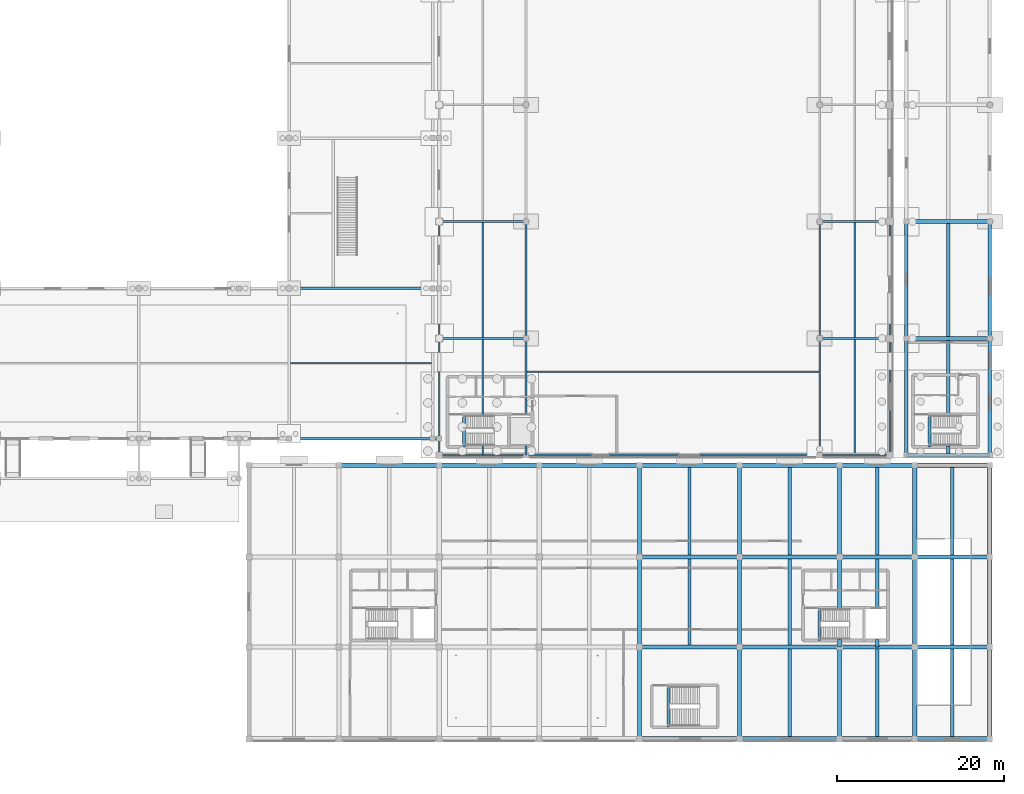
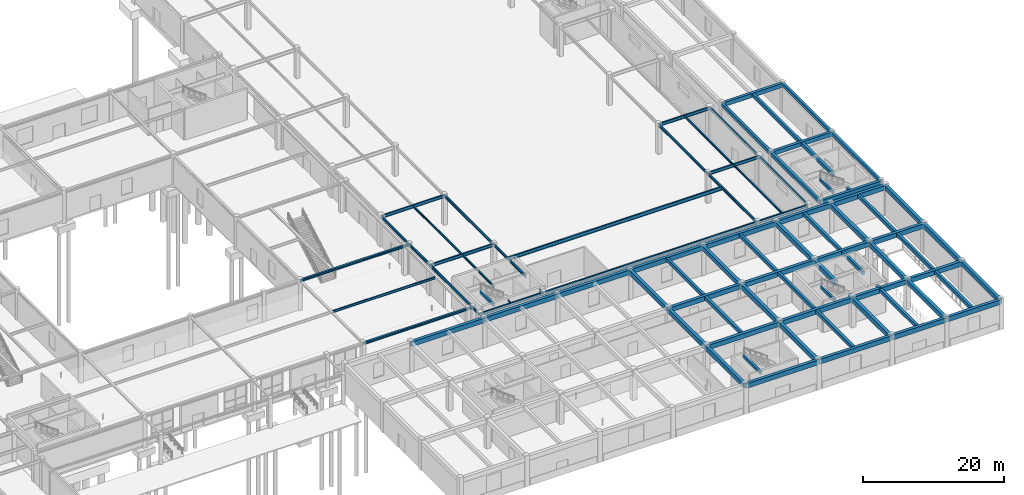
# One storey, part 19 of 53: 86 beams.
"""IFC4 building model written with IfcOpenShell, lengths in metres."""

from ifc_helpers import new_model, si_unit, derived_unit, direction, frame, origin, origin_2d, place, context, subcontext, project, spatial, rectangle, i_section, extrude, material, material_profile, profile_set, type_object, element, save


model = new_model("IFC4")

# Units and contexts
model_context = context("Model", 3, precision=1e-05, world=origin(), true_north=direction((0.0, 1.0)))
body_context = subcontext(model_context, "Body", "Model", "MODEL_VIEW")
ifc_project = project(units=[si_unit("LENGTHUNIT", "METRE"), si_unit("AREAUNIT", "SQUARE_METRE"), si_unit("VOLUMEUNIT", "CUBIC_METRE"), si_unit("PLANEANGLEUNIT", "RADIAN"), si_unit("MASSUNIT", "GRAM", prefix="KILO"), derived_unit("THERMALTRANSMITTANCEUNIT", [(si_unit("POWERUNIT", "WATT"), 1), (si_unit("LENGTHUNIT", "METRE"), -2), (si_unit("THERMODYNAMICTEMPERATUREUNIT", "KELVIN"), -1)])], contexts=[model_context])

# Site, building, storey
site_placement = place(None, origin())
site = spatial("IfcSite", under=ifc_project, at=site_placement, CompositionType="ELEMENT")
building_placement = place(site_placement, origin())
building = spatial("IfcBuilding", under=site, at=building_placement, Name="Almenara Railside Exhibition Hall", CompositionType="ELEMENT")
storey_placement = place(building_placement, origin())
storey = spatial("IfcBuildingStorey", under=building, at=storey_placement, Name="L00", CompositionType="ELEMENT", Elevation=0.0)

# Beams
ifc_material_1 = material(Name="Concrete C35/45", Category="concrete")
ifc_material_profile_1 = material_profile(ifc_material_1, rectangle(XDim=0.449951171875, YDim=0.699951171875, at=origin_2d()), Name="RC 450x700")
ifc_profile_set_1 = profile_set([ifc_material_profile_1], Name="Concrete C35/45")
beam_type_1 = type_object("IfcBeamType", Name="RC Floor Beam 450x700 C35/45", PredefinedType="BEAM", material=ifc_profile_set_1)
for number, where, z_axis, x_axis, name in (
    (1, (194.0, 34.0, 4.7900390625), (1.0, 0.0, 0.0), (0.0, 1.0, 0.0), "Beam 0413"),
    (2, (194.0, 48.0, 4.7900390625), (1.0, 0.0, 0.0), (0.0, 1.0, 0.0), "Beam 0414"),
    (3, (194.0, 62.0, 4.7900390625), (1.0, 0.0, 0.0), (0.0, 1.0, 0.0), "Beam 0415"),
):
    element("IfcBeam", number, at=place(storey_placement, frame(where, z_axis=z_axis, x_axis=x_axis)), inside=storey, type_object=beam_type_1, Name=name, PredefinedType="BEAM", context=body_context, shape_type="SweptSolid", body=[
        extrude(rectangle(XDim=0.449951171875, YDim=0.699951171875, at=origin_2d()), origin(), (0.0, 0.0, 1.0), 10.0),
    ])
ifc_material_profile_2 = material_profile(ifc_material_1, rectangle(XDim=0.5, YDim=0.800048828125, at=origin_2d()), Name="RC 500x800")
ifc_profile_set_2 = profile_set([ifc_material_profile_2], Name="Concrete C35/45")
beam_type_2 = type_object("IfcBeamType", Name="RC Primary Beam 500x800 C35/45", PredefinedType="BEAM", material=ifc_profile_set_2)
for number, where, z_axis, x_axis, name in (
    (4, (162.0, 0.0, 4.736083984375), (1.0, 0.0, 0.0), (0.0, 1.0, 0.0), "Beam 0086"),
    (5, (174.0, 0.0, 4.736083984375), (1.0, 0.0, 0.0), (0.0, 1.0, 0.0), "Beam 0087"),
):
    element("IfcBeam", number, at=place(storey_placement, frame(where, z_axis=z_axis, x_axis=x_axis)), inside=storey, type_object=beam_type_2, Name=name, PredefinedType="BEAM", context=body_context, shape_type="SweptSolid", body=[
        extrude(rectangle(XDim=0.5, YDim=0.800048828125, at=origin_2d()), origin(), (0.0, 0.0, 1.0), 12.0),
    ])
for number, where, z_axis, x_axis, name in (
    (6, (186.0, 0.0, 4.736083984375), (1.0, 0.0, 0.0), (0.0, 1.0, 0.0), "Beam 0088"),
    (7, (195.0, 0.0, 4.736083984375), (1.0, 0.0, 0.0), (0.0, 1.0, 0.0), "Beam 0089"),
):
    element("IfcBeam", number, at=place(storey_placement, frame(where, z_axis=z_axis, x_axis=x_axis)), inside=storey, type_object=beam_type_2, Name=name, PredefinedType="BEAM", context=body_context, shape_type="SweptSolid", body=[
        extrude(rectangle(XDim=0.5, YDim=0.800048828125, at=origin_2d()), origin(), (0.0, 0.0, 1.0), 9.0),
    ])
for number, where, z_axis, x_axis, name in (
    (8, (162.0, 11.0, 4.736083984375), (1.0, 0.0, 0.0), (0.0, 1.0, 0.0), "Beam 0094"),
    (9, (174.0, 11.0, 4.736083984375), (1.0, 0.0, 0.0), (0.0, 1.0, 0.0), "Beam 0095"),
):
    element("IfcBeam", number, at=place(storey_placement, frame(where, z_axis=z_axis, x_axis=x_axis)), inside=storey, type_object=beam_type_2, Name=name, PredefinedType="BEAM", context=body_context, shape_type="SweptSolid", body=[
        extrude(rectangle(XDim=0.5, YDim=0.800048828125, at=origin_2d()), origin(), (0.0, 0.0, 1.0), 12.0),
    ])
for number, where, z_axis, x_axis, name in (
    (10, (186.0, 11.0, 4.736083984375), (1.0, 0.0, 0.0), (0.0, 1.0, 0.0), "Beam 0096"),
    (11, (195.0, 11.0, 4.736083984375), (1.0, 0.0, 0.0), (0.0, 1.0, 0.0), "Beam 0097"),
):
    element("IfcBeam", number, at=place(storey_placement, frame(where, z_axis=z_axis, x_axis=x_axis)), inside=storey, type_object=beam_type_2, Name=name, PredefinedType="BEAM", context=body_context, shape_type="SweptSolid", body=[
        extrude(rectangle(XDim=0.5, YDim=0.800048828125, at=origin_2d()), origin(), (0.0, 0.0, 1.0), 9.0),
    ])
for number, where, z_axis, x_axis, name in (
    (12, (162.0, 21.800048828125, 4.736083984375), (1.0, 0.0, 0.0), (0.0, 1.0, 0.0), "Beam 0102"),
    (13, (174.0, 21.800048828125, 4.736083984375), (1.0, 0.0, 0.0), (0.0, 1.0, 0.0), "Beam 0103"),
):
    element("IfcBeam", number, at=place(storey_placement, frame(where, z_axis=z_axis, x_axis=x_axis)), inside=storey, type_object=beam_type_2, Name=name, PredefinedType="BEAM", context=body_context, shape_type="SweptSolid", body=[
        extrude(rectangle(XDim=0.5, YDim=0.800048828125, at=origin_2d()), origin(), (0.0, 0.0, 1.0), 12.0),
    ])
for number, where, z_axis, x_axis, name in (
    (14, (186.0, 21.800048828125, 4.736083984375), (1.0, 0.0, 0.0), (0.0, 1.0, 0.0), "Beam 0104"),
    (15, (195.0, 21.800048828125, 4.736083984375), (1.0, 0.0, 0.0), (0.0, 1.0, 0.0), "Beam 0105"),
):
    element("IfcBeam", number, at=place(storey_placement, frame(where, z_axis=z_axis, x_axis=x_axis)), inside=storey, type_object=beam_type_2, Name=name, PredefinedType="BEAM", context=body_context, shape_type="SweptSolid", body=[
        extrude(rectangle(XDim=0.5, YDim=0.800048828125, at=origin_2d()), origin(), (0.0, 0.0, 1.0), 9.0),
    ])
for number, where, z_axis, x_axis, name in (
    (16, (126.0, 32.800048828125, 4.736083984375), (1.0, 0.0, 0.0), (0.0, 1.0, 0.0), "Beam 0107"),
    (17, (138.0, 32.800048828125, 4.736083984375), (1.0, 0.0, 0.0), (0.0, 1.0, 0.0), "Beam 0108"),
    (18, (150.0, 32.800048828125, 4.736083984375), (1.0, 0.0, 0.0), (0.0, 1.0, 0.0), "Beam 0109"),
    (19, (162.0, 32.800048828125, 4.736083984375), (1.0, 0.0, 0.0), (0.0, 1.0, 0.0), "Beam 0110"),
    (20, (174.0, 32.800048828125, 4.736083984375), (1.0, 0.0, 0.0), (0.0, 1.0, 0.0), "Beam 0111"),
):
    element("IfcBeam", number, at=place(storey_placement, frame(where, z_axis=z_axis, x_axis=x_axis)), inside=storey, type_object=beam_type_2, Name=name, PredefinedType="BEAM", context=body_context, shape_type="SweptSolid", body=[
        extrude(rectangle(XDim=0.5, YDim=0.800048828125, at=origin_2d()), origin(), (0.0, 0.0, 1.0), 12.0),
    ])
for number, where, z_axis, x_axis, name in (
    (21, (186.0, 32.800048828125, 4.736083984375), (1.0, 0.0, 0.0), (0.0, 1.0, 0.0), "Beam 0112"),
    (22, (195.0, 32.800048828125, 4.736083984375), (1.0, 0.0, 0.0), (0.0, 1.0, 0.0), "Beam 0113"),
):
    element("IfcBeam", number, at=place(storey_placement, frame(where, z_axis=z_axis, x_axis=x_axis)), inside=storey, type_object=beam_type_2, Name=name, PredefinedType="BEAM", context=body_context, shape_type="SweptSolid", body=[
        extrude(rectangle(XDim=0.5, YDim=0.800048828125, at=origin_2d()), origin(), (0.0, 0.0, 1.0), 9.0),
    ])
beam_1_placement = place(storey_placement, frame((162.0, 0.0, 4.736083984375), z_axis=(0.0, 1.0, 0.0), x_axis=(-1.0, 0.0, 0.0)))
element("IfcBeam", 23, at=beam_1_placement, inside=storey, type_object=beam_type_2, Name="Beam 0126", PredefinedType="BEAM", context=body_context, shape_type="SweptSolid", body=[
    extrude(rectangle(XDim=0.5, YDim=0.800048828125, at=origin_2d()), origin(), (0.0, 0.0, 1.0), 11.0),
])
beam_2_placement = place(storey_placement, frame((162.0, 11.0, 4.736083984375), z_axis=(0.0, 1.0, 0.0), x_axis=(-1.0, 0.0, 0.0)))
element("IfcBeam", 24, at=beam_2_placement, inside=storey, type_object=beam_type_2, Name="Beam 0127", PredefinedType="BEAM", context=body_context, shape_type="SweptSolid", body=[
    extrude(rectangle(XDim=0.5, YDim=0.800048828125, at=origin_2d()), origin(), (0.0, 0.0, 1.0), 10.800048828125),
])
for number, where, z_axis, x_axis, name in (
    (25, (162.0, 21.800048828125, 4.736083984375), (0.0, 1.0, 0.0), (-1.0, 0.0, 0.0), "Beam 0128"),
    (26, (174.0, 0.0, 4.736083984375), (0.0, 1.0, 0.0), (-1.0, 0.0, 0.0), "Beam 0129"),
):
    element("IfcBeam", number, at=place(storey_placement, frame(where, z_axis=z_axis, x_axis=x_axis)), inside=storey, type_object=beam_type_2, Name=name, PredefinedType="BEAM", context=body_context, shape_type="SweptSolid", body=[
        extrude(rectangle(XDim=0.5, YDim=0.800048828125, at=origin_2d()), origin(), (0.0, 0.0, 1.0), 11.0),
    ])
beam_3_placement = place(storey_placement, frame((174.0, 11.0, 4.736083984375), z_axis=(0.0, 1.0, 0.0), x_axis=(-1.0, 0.0, 0.0)))
element("IfcBeam", 27, at=beam_3_placement, inside=storey, type_object=beam_type_2, Name="Beam 0130", PredefinedType="BEAM", context=body_context, shape_type="SweptSolid", body=[
    extrude(rectangle(XDim=0.5, YDim=0.800048828125, at=origin_2d()), origin(), (0.0, 0.0, 1.0), 10.800048828125),
])
for number, where, z_axis, x_axis, name in (
    (28, (174.0, 21.800048828125, 4.736083984375), (0.0, 1.0, 0.0), (-1.0, 0.0, 0.0), "Beam 0131"),
    (29, (186.0, 0.0, 4.736083984375), (0.0, 1.0, 0.0), (-1.0, 0.0, 0.0), "Beam 0132"),
):
    element("IfcBeam", number, at=place(storey_placement, frame(where, z_axis=z_axis, x_axis=x_axis)), inside=storey, type_object=beam_type_2, Name=name, PredefinedType="BEAM", context=body_context, shape_type="SweptSolid", body=[
        extrude(rectangle(XDim=0.5, YDim=0.800048828125, at=origin_2d()), origin(), (0.0, 0.0, 1.0), 11.0),
    ])
beam_4_placement = place(storey_placement, frame((186.0, 11.0, 4.736083984375), z_axis=(0.0, 1.0, 0.0), x_axis=(-1.0, 0.0, 0.0)))
element("IfcBeam", 30, at=beam_4_placement, inside=storey, type_object=beam_type_2, Name="Beam 0133", PredefinedType="BEAM", context=body_context, shape_type="SweptSolid", body=[
    extrude(rectangle(XDim=0.5, YDim=0.800048828125, at=origin_2d()), origin(), (0.0, 0.0, 1.0), 0.89990234375),
])
beam_5_placement = place(storey_placement, frame((186.0, 15.6201171875, 4.736083984375), z_axis=(0.0, 1.0, 0.0), x_axis=(-1.0, 0.0, 0.0)))
element("IfcBeam", 31, at=beam_5_placement, inside=storey, type_object=beam_type_2, Name="Beam 0134", PredefinedType="BEAM", context=body_context, shape_type="SweptSolid", body=[
    extrude(rectangle(XDim=0.5, YDim=0.800048828125, at=origin_2d()), origin(), (0.0, 0.0, 1.0), 6.179931640625),
])
for number, where, z_axis, x_axis, name in (
    (32, (186.0, 21.800048828125, 4.736083984375), (0.0, 1.0, 0.0), (-1.0, 0.0, 0.0), "Beam 0135"),
    (33, (195.0, 0.0, 4.736083984375), (0.0, 1.0, 0.0), (-1.0, 0.0, 0.0), "Beam 0136"),
):
    element("IfcBeam", number, at=place(storey_placement, frame(where, z_axis=z_axis, x_axis=x_axis)), inside=storey, type_object=beam_type_2, Name=name, PredefinedType="BEAM", context=body_context, shape_type="SweptSolid", body=[
        extrude(rectangle(XDim=0.5, YDim=0.800048828125, at=origin_2d()), origin(), (0.0, 0.0, 1.0), 11.0),
    ])
beam_6_placement = place(storey_placement, frame((195.0, 11.0, 4.736083984375), z_axis=(0.0, 1.0, 0.0), x_axis=(-1.0, 0.0, 0.0)))
element("IfcBeam", 34, at=beam_6_placement, inside=storey, type_object=beam_type_2, Name="Beam 0137", PredefinedType="BEAM", context=body_context, shape_type="SweptSolid", body=[
    extrude(rectangle(XDim=0.5, YDim=0.800048828125, at=origin_2d()), origin(), (0.0, 0.0, 1.0), 10.800048828125),
])
for number, where, z_axis, x_axis, name in (
    (35, (195.0, 21.800048828125, 4.736083984375), (0.0, 1.0, 0.0), (-1.0, 0.0, 0.0), "Beam 0138"),
    (36, (204.0, 0.0, 4.736083984375), (0.0, 1.0, 0.0), (-1.0, 0.0, 0.0), "Beam 0139"),
):
    element("IfcBeam", number, at=place(storey_placement, frame(where, z_axis=z_axis, x_axis=x_axis)), inside=storey, type_object=beam_type_2, Name=name, PredefinedType="BEAM", context=body_context, shape_type="SweptSolid", body=[
        extrude(rectangle(XDim=0.5, YDim=0.800048828125, at=origin_2d()), origin(), (0.0, 0.0, 1.0), 11.0),
    ])
beam_7_placement = place(storey_placement, frame((204.0, 11.0, 4.736083984375), z_axis=(0.0, 1.0, 0.0), x_axis=(-1.0, 0.0, 0.0)))
element("IfcBeam", 37, at=beam_7_placement, inside=storey, type_object=beam_type_2, Name="Beam 0140", PredefinedType="BEAM", context=body_context, shape_type="SweptSolid", body=[
    extrude(rectangle(XDim=0.5, YDim=0.800048828125, at=origin_2d()), origin(), (0.0, 0.0, 1.0), 10.800048828125),
])
beam_8_placement = place(storey_placement, frame((204.0, 21.800048828125, 4.736083984375), z_axis=(0.0, 1.0, 0.0), x_axis=(-1.0, 0.0, 0.0)))
element("IfcBeam", 38, at=beam_8_placement, inside=storey, type_object=beam_type_2, Name="Beam 0141", PredefinedType="BEAM", context=body_context, shape_type="SweptSolid", body=[
    extrude(rectangle(XDim=0.5, YDim=0.800048828125, at=origin_2d()), origin(), (0.0, 0.0, 1.0), 11.0),
])
ifc_material_profile_3 = material_profile(ifc_material_1, rectangle(XDim=0.39990234375, YDim=0.60009765625, at=origin_2d()), Name="RC 400x600")
ifc_profile_set_3 = profile_set([ifc_material_profile_3], Name="Concrete C35/45")
beam_type_3 = type_object("IfcBeamType", Name="RC Secondary Beam 400x600 C35/45", PredefinedType="BEAM", material=ifc_profile_set_3)
beam_9_placement = place(storey_placement, frame((168.0, 11.25, 4.8359375), z_axis=(0.0, 1.0, 0.0), x_axis=(-1.0, 0.0, 0.0)))
element("IfcBeam", 39, at=beam_9_placement, inside=storey, type_object=beam_type_3, Name="Beam 0156", PredefinedType="BEAM", context=body_context, shape_type="SweptSolid", body=[
    extrude(rectangle(XDim=0.39990234375, YDim=0.60009765625, at=origin_2d()), origin(), (0.0, 0.0, 1.0), 10.300048828125),
])
for number, where, z_axis, x_axis, name in (
    (40, (168.0, 22.050048828125, 4.8359375), (0.0, 1.0, 0.0), (-1.0, 0.0, 0.0), "Beam 0157"),
    (41, (180.0, 0.25, 4.8359375), (0.0, 1.0, 0.0), (-1.0, 0.0, 0.0), "Beam 0158"),
):
    element("IfcBeam", number, at=place(storey_placement, frame(where, z_axis=z_axis, x_axis=x_axis)), inside=storey, type_object=beam_type_3, Name=name, PredefinedType="BEAM", context=body_context, shape_type="SweptSolid", body=[
        extrude(rectangle(XDim=0.39990234375, YDim=0.60009765625, at=origin_2d()), origin(), (0.0, 0.0, 1.0), 10.5),
    ])
beam_10_placement = place(storey_placement, frame((180.0, 11.25, 4.8359375), z_axis=(0.0, 1.0, 0.0), x_axis=(-1.0, 0.0, 0.0)))
element("IfcBeam", 42, at=beam_10_placement, inside=storey, type_object=beam_type_3, Name="Beam 0159", PredefinedType="BEAM", context=body_context, shape_type="SweptSolid", body=[
    extrude(rectangle(XDim=0.39990234375, YDim=0.60009765625, at=origin_2d()), origin(), (0.0, 0.0, 1.0), 10.300048828125),
])
for number, where, z_axis, x_axis, name in (
    (43, (180.0, 22.050048828125, 4.8359375), (0.0, 1.0, 0.0), (-1.0, 0.0, 0.0), "Beam 0160"),
    (44, (190.5, 0.25, 4.8359375), (0.0, 1.0, 0.0), (-1.0, 0.0, 0.0), "Beam 0161"),
):
    element("IfcBeam", number, at=place(storey_placement, frame(where, z_axis=z_axis, x_axis=x_axis)), inside=storey, type_object=beam_type_3, Name=name, PredefinedType="BEAM", context=body_context, shape_type="SweptSolid", body=[
        extrude(rectangle(XDim=0.39990234375, YDim=0.60009765625, at=origin_2d()), origin(), (0.0, 0.0, 1.0), 10.5),
    ])
beam_11_placement = place(storey_placement, frame((190.5, 11.0, 4.8359375), z_axis=(0.0, 1.0, 0.0), x_axis=(-1.0, 0.0, 0.0)))
element("IfcBeam", 45, at=beam_11_placement, inside=storey, type_object=beam_type_3, Name="Beam 0162", PredefinedType="BEAM", context=body_context, shape_type="SweptSolid", body=[
    extrude(rectangle(XDim=0.39990234375, YDim=0.60009765625, at=origin_2d()), origin(), (0.0, 0.0, 1.0), 0.89990234375),
])
beam_12_placement = place(storey_placement, frame((190.5, 15.6201171875, 4.8359375), z_axis=(0.0, 1.0, 0.0), x_axis=(-1.0, 0.0, 0.0)))
element("IfcBeam", 46, at=beam_12_placement, inside=storey, type_object=beam_type_3, Name="Beam 0163", PredefinedType="BEAM", context=body_context, shape_type="SweptSolid", body=[
    extrude(rectangle(XDim=0.39990234375, YDim=0.60009765625, at=origin_2d()), origin(), (0.0, 0.0, 1.0), 5.929931640625),
])
for number, where, z_axis, x_axis, name in (
    (47, (190.5, 22.050048828125, 4.8359375), (0.0, 1.0, 0.0), (-1.0, 0.0, 0.0), "Beam 0164"),
    (48, (199.5, 0.25, 4.8359375), (0.0, 1.0, 0.0), (-1.0, 0.0, 0.0), "Beam 0165"),
):
    element("IfcBeam", number, at=place(storey_placement, frame(where, z_axis=z_axis, x_axis=x_axis)), inside=storey, type_object=beam_type_3, Name=name, PredefinedType="BEAM", context=body_context, shape_type="SweptSolid", body=[
        extrude(rectangle(XDim=0.39990234375, YDim=0.60009765625, at=origin_2d()), origin(), (0.0, 0.0, 1.0), 10.5),
    ])
beam_13_placement = place(storey_placement, frame((199.5, 11.25, 4.8359375), z_axis=(0.0, 1.0, 0.0), x_axis=(-1.0, 0.0, 0.0)))
element("IfcBeam", 49, at=beam_13_placement, inside=storey, type_object=beam_type_3, Name="Beam 0166", PredefinedType="BEAM", context=body_context, shape_type="SweptSolid", body=[
    extrude(rectangle(XDim=0.39990234375, YDim=0.60009765625, at=origin_2d()), origin(), (0.0, 0.0, 1.0), 10.300048828125),
])
beam_14_placement = place(storey_placement, frame((199.5, 22.050048828125, 4.8359375), z_axis=(0.0, 1.0, 0.0), x_axis=(-1.0, 0.0, 0.0)))
element("IfcBeam", 50, at=beam_14_placement, inside=storey, type_object=beam_type_3, Name="Beam 0167", PredefinedType="BEAM", context=body_context, shape_type="SweptSolid", body=[
    extrude(rectangle(XDim=0.39990234375, YDim=0.60009765625, at=origin_2d()), origin(), (0.0, 0.0, 1.0), 10.5),
])
for number, where, z_axis, x_axis, name in (
    (51, (194.0, 34.0, 4.840087890625), (0.0, 1.0, 0.0), (-1.0, 0.0, 0.0), "Beam 0420"),
    (52, (194.0, 48.0, 4.840087890625), (0.0, 1.0, 0.0), (-1.0, 0.0, 0.0), "Beam 0421"),
):
    element("IfcBeam", number, at=place(storey_placement, frame(where, z_axis=z_axis, x_axis=x_axis)), inside=storey, type_object=beam_type_3, Name=name, PredefinedType="BEAM", context=body_context, shape_type="SweptSolid", body=[
        extrude(rectangle(XDim=0.39990234375, YDim=0.60009765625, at=origin_2d()), origin(), (0.0, 0.0, 1.0), 14.0),
    ])
beam_15_placement = place(storey_placement, frame((199.0, 34.22509765625, 4.840087890625), z_axis=(0.0, 1.0, 0.0), x_axis=(-1.0, 0.0, 0.0)))
element("IfcBeam", 53, at=beam_15_placement, inside=storey, type_object=beam_type_3, Name="Beam 0426", PredefinedType="BEAM", context=body_context, shape_type="SweptSolid", body=[
    extrude(rectangle(XDim=0.39990234375, YDim=0.60009765625, at=origin_2d()), origin(), (0.0, 0.0, 1.0), 0.875),
])
beam_16_placement = place(storey_placement, frame((199.0, 38.820068359375, 4.840087890625), z_axis=(0.0, 1.0, 0.0), x_axis=(-1.0, 0.0, 0.0)))
element("IfcBeam", 54, at=beam_16_placement, inside=storey, type_object=beam_type_3, Name="Beam 0427", PredefinedType="BEAM", context=body_context, shape_type="SweptSolid", body=[
    extrude(rectangle(XDim=0.39990234375, YDim=0.60009765625, at=origin_2d()), origin(), (0.0, 0.0, 1.0), 8.954833984375),
])
beam_17_placement = place(storey_placement, frame((199.0, 48.22509765625, 4.840087890625), z_axis=(0.0, 1.0, 0.0), x_axis=(-1.0, 0.0, 0.0)))
element("IfcBeam", 55, at=beam_17_placement, inside=storey, type_object=beam_type_3, Name="Beam 0428", PredefinedType="BEAM", context=body_context, shape_type="SweptSolid", body=[
    extrude(rectangle(XDim=0.39990234375, YDim=0.60009765625, at=origin_2d()), origin(), (0.0, 0.0, 1.0), 13.5498046875),
])
for number, where, z_axis, x_axis, name in (
    (56, (204.0, 34.0, 4.840087890625), (0.0, 1.0, 0.0), (-1.0, 0.0, 0.0), "Beam 0433"),
    (57, (204.0, 48.0, 4.840087890625), (0.0, 1.0, 0.0), (-1.0, 0.0, 0.0), "Beam 0434"),
):
    element("IfcBeam", number, at=place(storey_placement, frame(where, z_axis=z_axis, x_axis=x_axis)), inside=storey, type_object=beam_type_3, Name=name, PredefinedType="BEAM", context=body_context, shape_type="SweptSolid", body=[
        extrude(rectangle(XDim=0.39990234375, YDim=0.60009765625, at=origin_2d()), origin(), (0.0, 0.0, 1.0), 14.0),
    ])
ifc_material_profile_4 = material_profile(ifc_material_1, rectangle(XDim=0.35009765625, YDim=0.5, at=origin_2d()), Name="RC 350x500")
ifc_profile_set_4 = profile_set([ifc_material_profile_4], Name="Concrete C35/45")
beam_type_4 = type_object("IfcBeamType", Name="RC Spandrel Tie Beam 350x500 C35/45", PredefinedType="SPANDREL", material=ifc_profile_set_4)
for number, where, z_axis, x_axis, name in (
    (58, (140.949951171875, 35.0, 4.889892578125), (0.0, 1.0, 0.0), (-1.0, 0.0, 0.0), "Stair trimmer ST-C3-L00"),
    (59, (183.550048828125, 11.800048828125, 4.885986328125), (0.0, 1.0, 0.0), (-1.0, 0.0, 0.0), "Stair trimmer ST-C6-L00"),
    (60, (196.75, 35.0, 4.889892578125), (0.0, 1.0, 0.0), (-1.0, 0.0, 0.0), "Stair trimmer ST-C9-L00"),
):
    element("IfcBeam", number, at=place(storey_placement, frame(where, z_axis=z_axis, x_axis=x_axis)), inside=storey, type_object=beam_type_4, Name=name, PredefinedType="SPANDREL", context=body_context, shape_type="SweptSolid", body=[
        extrude(rectangle(XDim=0.35009765625, YDim=0.5, at=origin_2d()), origin(), (0.0, 0.0, 1.0), 3.89990234375),
    ])
beam_18_placement = place(storey_placement, frame((165.449951171875, 1.39990234375, 4.885986328125), z_axis=(0.0, 1.0, 0.0), x_axis=(-1.0, 0.0, 0.0)))
element("IfcBeam", 61, at=beam_18_placement, inside=storey, type_object=beam_type_4, Name="Stair trimmer HST4-L00", PredefinedType="SPANDREL", context=body_context, shape_type="SweptSolid", body=[
    extrude(rectangle(XDim=0.35009765625, YDim=0.5, at=origin_2d()), origin(), (0.0, 0.0, 1.0), 5.0),
])
ifc_material_2 = material(Name="Structural steel S355JR", Category="steel")
ifc_material_profile_5 = material_profile(ifc_material_2, i_section(OverallWidth=0.300048828125, OverallDepth=0.389892578125, WebThickness=0.010986328125, FlangeThickness=0.01904296875, FilletRadius=0.027099609375, at=origin_2d()), Name="HEA 400")
ifc_profile_set_5 = profile_set([ifc_material_profile_5], Name="Structural steel S355JR")
beam_type_5 = type_object("IfcBeamType", Name="Steel Concourse Main Beam HEA 400 S355JR", PredefinedType="BEAM", material=ifc_profile_set_5)
for number, where, z_axis, x_axis, name in (
    (62, (120.0, 36.0, 4.94091796875), (1.0, 0.0, 0.0), (0.0, 1.0, 0.0), "Beam 0743"),
    (63, (120.0, 54.0, 4.94091796875), (1.0, 0.0, 0.0), (0.0, 1.0, 0.0), "Beam 0750"),
):
    element("IfcBeam", number, at=place(storey_placement, frame(where, z_axis=z_axis, x_axis=x_axis)), inside=storey, type_object=beam_type_5, Name=name, PredefinedType="BEAM", context=body_context, shape_type="SweptSolid", body=[
        extrude(i_section(OverallWidth=0.300048828125, OverallDepth=0.389892578125, WebThickness=0.010986328125, FlangeThickness=0.01904296875, FilletRadius=0.027099609375, at=origin_2d()), origin(), (0.0, 0.0, 1.0), 18.0),
    ])
ifc_material_profile_6 = material_profile(ifc_material_2, i_section(OverallWidth=0.19140625, OverallDepth=0.4599609375, WebThickness=0.010009765625, FlangeThickness=0.01611328125, FilletRadius=0.01025390625, at=origin_2d()), Name="UB 457x191x82")
ifc_profile_set_6 = profile_set([ifc_material_profile_6], Name="Structural steel S355JR")
beam_type_6 = type_object("IfcBeamType", Name="Steel Gallery Edge Beam UB 457x191x82 S355JR", PredefinedType="BEAM", material=ifc_profile_set_6)
for number, where, z_axis, x_axis, name in (
    (64, (138.0, 34.0, 4.906005859375), (0.0, 1.0, 0.0), (-1.0, 0.0, 0.0), "Beam 0681"),
    (65, (138.0, 48.0, 4.906005859375), (0.0, 1.0, 0.0), (-1.0, 0.0, 0.0), "Beam 0682"),
):
    element("IfcBeam", number, at=place(storey_placement, frame(where, z_axis=z_axis, x_axis=x_axis)), inside=storey, type_object=beam_type_6, Name=name, PredefinedType="BEAM", context=body_context, shape_type="SweptSolid", body=[
        extrude(i_section(OverallWidth=0.19140625, OverallDepth=0.4599609375, WebThickness=0.010009765625, FlangeThickness=0.01611328125, FilletRadius=0.01025390625, at=origin_2d()), origin(), (0.0, 0.0, 1.0), 14.0),
    ])
beam_19_placement = place(storey_placement, frame((148.39990234375, 34.0, 4.909912109375), z_axis=(0.0, 1.0, 0.0), x_axis=(-1.0, 0.0, 0.0)))
element("IfcBeam", 66, at=beam_19_placement, inside=storey, type_object=beam_type_6, Name="Beam 0696", PredefinedType="BEAM", context=body_context, shape_type="SweptSolid", body=[
    extrude(i_section(OverallWidth=0.19140625, OverallDepth=0.4599609375, WebThickness=0.010009765625, FlangeThickness=0.01611328125, FilletRadius=0.01025390625, at=origin_2d()), origin(), (0.0, 0.0, 1.0), 1.10009765625),
])
beam_20_placement = place(storey_placement, frame((148.39990234375, 38.820068359375, 4.909912109375), z_axis=(0.0, 1.0, 0.0), x_axis=(-1.0, 0.0, 0.0)))
element("IfcBeam", 67, at=beam_20_placement, inside=storey, type_object=beam_type_6, Name="Beam 0697", PredefinedType="BEAM", context=body_context, shape_type="SweptSolid", body=[
    extrude(i_section(OverallWidth=0.19140625, OverallDepth=0.4599609375, WebThickness=0.010009765625, FlangeThickness=0.01611328125, FilletRadius=0.01025390625, at=origin_2d()), origin(), (0.0, 0.0, 1.0), 9.179931640625),
])
for number, where, z_axis, x_axis, name in (
    (68, (148.39990234375, 48.0, 4.909912109375), (0.0, 1.0, 0.0), (-1.0, 0.0, 0.0), "Beam 0698"),
    (69, (183.60009765625, 34.0, 4.909912109375), (0.0, 1.0, 0.0), (-1.0, 0.0, 0.0), "Beam 0704"),
    (70, (183.60009765625, 48.0, 4.909912109375), (0.0, 1.0, 0.0), (-1.0, 0.0, 0.0), "Beam 0705"),
    (71, (192.0, 34.0, 4.909912109375), (0.0, 1.0, 0.0), (-1.0, 0.0, 0.0), "Beam 0718"),
    (72, (192.0, 48.0, 4.909912109375), (0.0, 1.0, 0.0), (-1.0, 0.0, 0.0), "Beam 0719"),
):
    element("IfcBeam", number, at=place(storey_placement, frame(where, z_axis=z_axis, x_axis=x_axis)), inside=storey, type_object=beam_type_6, Name=name, PredefinedType="BEAM", context=body_context, shape_type="SweptSolid", body=[
        extrude(i_section(OverallWidth=0.19140625, OverallDepth=0.4599609375, WebThickness=0.010009765625, FlangeThickness=0.01611328125, FilletRadius=0.01025390625, at=origin_2d()), origin(), (0.0, 0.0, 1.0), 14.0),
    ])
ifc_material_profile_7 = material_profile(ifc_material_2, i_section(OverallWidth=0.22900390625, OverallDepth=0.6123046875, WebThickness=0.011962890625, FlangeThickness=0.01953125, FilletRadius=0.0126953125, at=origin_2d()), Name="UB 610x229x125")
ifc_profile_set_7 = profile_set([ifc_material_profile_7], Name="Structural steel S355JR")
beam_type_7 = type_object("IfcBeamType", Name="Steel Gallery Girder UB 610x229x125 S355JR", PredefinedType="USERDEFINED", material=ifc_profile_set_7)
beam_21_placement = place(storey_placement, frame((148.39990234375, 34.0, 4.833984375), z_axis=(1.0, 0.0, 0.0), x_axis=(0.0, 1.0, 0.0)))
element("IfcBeam", 73, at=beam_21_placement, inside=storey, type_object=beam_type_7, Name="Beam 0677", ObjectType="GIRDER", PredefinedType="USERDEFINED", context=body_context, shape_type="SweptSolid", body=[
    extrude(i_section(OverallWidth=0.22900390625, OverallDepth=0.6123046875, WebThickness=0.011962890625, FlangeThickness=0.01953125, FilletRadius=0.0126953125, at=origin_2d()), origin(), (0.0, 0.0, 1.0), 35.2001953125),
])
beam_22_placement = place(storey_placement, frame((148.49560546875, 44.0, 4.833984375), z_axis=(1.0, 0.0, 0.0), x_axis=(0.0, 1.0, 0.0)))
element("IfcBeam", 74, at=beam_22_placement, inside=storey, type_object=beam_type_7, Name="Beam 0678", ObjectType="GIRDER", PredefinedType="USERDEFINED", context=body_context, shape_type="SweptSolid", body=[
    extrude(i_section(OverallWidth=0.22900390625, OverallDepth=0.6123046875, WebThickness=0.011962890625, FlangeThickness=0.01953125, FilletRadius=0.0126953125, at=origin_2d()), origin(), (0.0, 0.0, 1.0), 35.0087890625),
])
ifc_material_profile_8 = material_profile(ifc_material_2, i_section(OverallWidth=0.171142578125, OverallDepth=0.351318359375, WebThickness=0.007080078125, FlangeThickness=0.009765625, FilletRadius=0.01025390625, at=origin_2d()), Name="UB 356x171x45")
ifc_profile_set_8 = profile_set([ifc_material_profile_8], Name="Structural steel S355JR")
beam_type_8 = type_object("IfcBeamType", Name="Steel Mezzanine Joist UB 356x171x45 S355JR", PredefinedType="JOIST", material=ifc_profile_set_8)
beam_23_placement = place(storey_placement, frame((143.199951171875, 34.1044921875, 4.96435546875), z_axis=(0.0, 1.0, 0.0), x_axis=(-1.0, 0.0, 0.0)))
element("IfcBeam", 75, at=beam_23_placement, inside=storey, type_object=beam_type_8, Name="Beam 0688", PredefinedType="JOIST", context=body_context, shape_type="SweptSolid", body=[
    extrude(i_section(OverallWidth=0.171142578125, OverallDepth=0.351318359375, WebThickness=0.007080078125, FlangeThickness=0.009765625, FilletRadius=0.01025390625, at=origin_2d()), origin(), (0.0, 0.0, 1.0), 0.99560546875),
])
beam_24_placement = place(storey_placement, frame((143.199951171875, 38.820068359375, 4.96435546875), z_axis=(0.0, 1.0, 0.0), x_axis=(-1.0, 0.0, 0.0)))
element("IfcBeam", 76, at=beam_24_placement, inside=storey, type_object=beam_type_8, Name="Beam 0689", PredefinedType="JOIST", context=body_context, shape_type="SweptSolid", body=[
    extrude(i_section(OverallWidth=0.171142578125, OverallDepth=0.351318359375, WebThickness=0.007080078125, FlangeThickness=0.009765625, FilletRadius=0.01025390625, at=origin_2d()), origin(), (0.0, 0.0, 1.0), 9.075439453125),
])
for number, where, z_axis, x_axis, name in (
    (77, (143.199951171875, 48.1044921875, 4.96435546875), (0.0, 1.0, 0.0), (-1.0, 0.0, 0.0), "Beam 0690"),
    (78, (187.800048828125, 34.1044921875, 4.96435546875), (0.0, 1.0, 0.0), (-1.0, 0.0, 0.0), "Beam 0711"),
    (79, (187.800048828125, 48.1044921875, 4.96435546875), (0.0, 1.0, 0.0), (-1.0, 0.0, 0.0), "Beam 0712"),
):
    element("IfcBeam", number, at=place(storey_placement, frame(where, z_axis=z_axis, x_axis=x_axis)), inside=storey, type_object=beam_type_8, Name=name, PredefinedType="JOIST", context=body_context, shape_type="SweptSolid", body=[
        extrude(i_section(OverallWidth=0.171142578125, OverallDepth=0.351318359375, WebThickness=0.007080078125, FlangeThickness=0.009765625, FilletRadius=0.01025390625, at=origin_2d()), origin(), (0.0, 0.0, 1.0), 13.791015625),
    ])
ifc_material_profile_9 = material_profile(ifc_material_2, i_section(OverallWidth=0.209228515625, OverallDepth=0.533203125, WebThickness=0.010009765625, FlangeThickness=0.015625, FilletRadius=0.0126953125, at=origin_2d()), Name="UB 533x210x92")
ifc_profile_set_9 = profile_set([ifc_material_profile_9], Name="Structural steel S355JR")
beam_type_9 = type_object("IfcBeamType", Name="Steel Primary Beam UB 533x210x92 S355JR", PredefinedType="BEAM", material=ifc_profile_set_9)
beam_25_placement = place(storey_placement, frame((138.0, 34.0, 4.87353515625), z_axis=(1.0, 0.0, 0.0), x_axis=(0.0, 1.0, 0.0)))
element("IfcBeam", 80, at=beam_25_placement, inside=storey, type_object=beam_type_9, Name="Beam 0661", PredefinedType="BEAM", context=body_context, shape_type="SweptSolid", body=[
    extrude(i_section(OverallWidth=0.209228515625, OverallDepth=0.533203125, WebThickness=0.010009765625, FlangeThickness=0.015625, FilletRadius=0.0126953125, at=origin_2d()), origin(), (0.0, 0.0, 1.0), 10.39990234375),
])
beam_26_placement = place(storey_placement, frame((183.60009765625, 34.0, 4.87353515625), z_axis=(1.0, 0.0, 0.0), x_axis=(0.0, 1.0, 0.0)))
element("IfcBeam", 81, at=beam_26_placement, inside=storey, type_object=beam_type_9, Name="Beam 0662", PredefinedType="BEAM", context=body_context, shape_type="SweptSolid", body=[
    extrude(i_section(OverallWidth=0.209228515625, OverallDepth=0.533203125, WebThickness=0.010009765625, FlangeThickness=0.015625, FilletRadius=0.0126953125, at=origin_2d()), origin(), (0.0, 0.0, 1.0), 8.39990234375),
])
beam_27_placement = place(storey_placement, frame((138.0, 48.0, 4.87353515625), z_axis=(1.0, 0.0, 0.0), x_axis=(0.0, 1.0, 0.0)))
element("IfcBeam", 82, at=beam_27_placement, inside=storey, type_object=beam_type_9, Name="Beam 0663", PredefinedType="BEAM", context=body_context, shape_type="SweptSolid", body=[
    extrude(i_section(OverallWidth=0.209228515625, OverallDepth=0.533203125, WebThickness=0.010009765625, FlangeThickness=0.015625, FilletRadius=0.0126953125, at=origin_2d()), origin(), (0.0, 0.0, 1.0), 10.39990234375),
])
beam_28_placement = place(storey_placement, frame((183.60009765625, 48.0, 4.87353515625), z_axis=(1.0, 0.0, 0.0), x_axis=(0.0, 1.0, 0.0)))
element("IfcBeam", 83, at=beam_28_placement, inside=storey, type_object=beam_type_9, Name="Beam 0664", PredefinedType="BEAM", context=body_context, shape_type="SweptSolid", body=[
    extrude(i_section(OverallWidth=0.209228515625, OverallDepth=0.533203125, WebThickness=0.010009765625, FlangeThickness=0.015625, FilletRadius=0.0126953125, at=origin_2d()), origin(), (0.0, 0.0, 1.0), 8.39990234375),
])
beam_29_placement = place(storey_placement, frame((138.0, 62.0, 4.87353515625), z_axis=(1.0, 0.0, 0.0), x_axis=(0.0, 1.0, 0.0)))
element("IfcBeam", 84, at=beam_29_placement, inside=storey, type_object=beam_type_9, Name="Beam 0665", PredefinedType="BEAM", context=body_context, shape_type="SweptSolid", body=[
    extrude(i_section(OverallWidth=0.209228515625, OverallDepth=0.533203125, WebThickness=0.010009765625, FlangeThickness=0.015625, FilletRadius=0.0126953125, at=origin_2d()), origin(), (0.0, 0.0, 1.0), 10.39990234375),
])
beam_30_placement = place(storey_placement, frame((183.60009765625, 62.0, 4.87353515625), z_axis=(1.0, 0.0, 0.0), x_axis=(0.0, 1.0, 0.0)))
element("IfcBeam", 85, at=beam_30_placement, inside=storey, type_object=beam_type_9, Name="Beam 0666", PredefinedType="BEAM", context=body_context, shape_type="SweptSolid", body=[
    extrude(i_section(OverallWidth=0.209228515625, OverallDepth=0.533203125, WebThickness=0.010009765625, FlangeThickness=0.015625, FilletRadius=0.0126953125, at=origin_2d()), origin(), (0.0, 0.0, 1.0), 8.39990234375),
])
ifc_material_profile_10 = material_profile(ifc_material_2, i_section(OverallWidth=0.177734375, OverallDepth=0.402587890625, WebThickness=0.0078125, FlangeThickness=0.010986328125, FilletRadius=0.01025390625, at=origin_2d()), Name="UB 406x178x54")
ifc_profile_set_10 = profile_set([ifc_material_profile_10], Name="Structural steel S355JR")
beam_type_10 = type_object("IfcBeamType", Name="Steel Secondary Joist UB 406x178x54 S355JR", PredefinedType="JOIST", material=ifc_profile_set_10)
beam_31_placement = place(storey_placement, frame((120.14990234375, 45.0, 4.934814453125), z_axis=(1.0, 0.0, 0.0), x_axis=(0.0, 1.0, 0.0)))
element("IfcBeam", 86, at=beam_31_placement, inside=storey, type_object=beam_type_10, Name="Beam 0744", PredefinedType="JOIST", context=body_context, shape_type="SweptSolid", body=[
    extrude(i_section(OverallWidth=0.177734375, OverallDepth=0.402587890625, WebThickness=0.0078125, FlangeThickness=0.010986328125, FilletRadius=0.01025390625, at=origin_2d()), origin(), (0.0, 0.0, 1.0), 16.900146484375),
])

save(model, "model.ifc")
